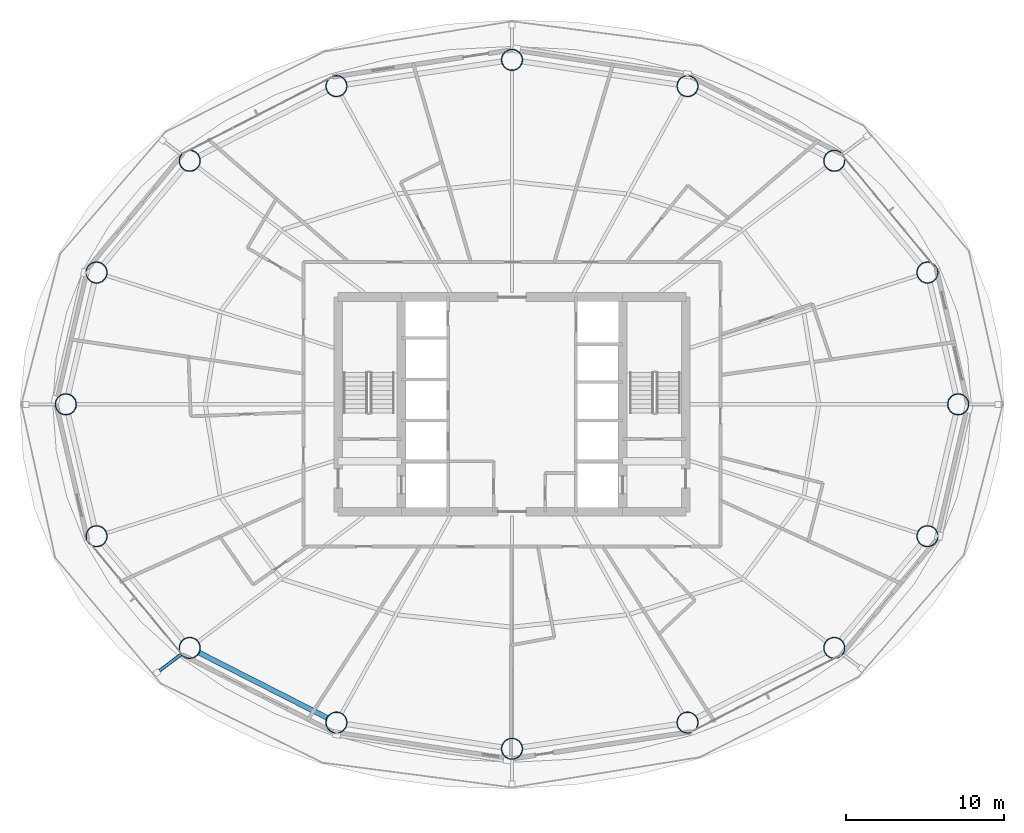
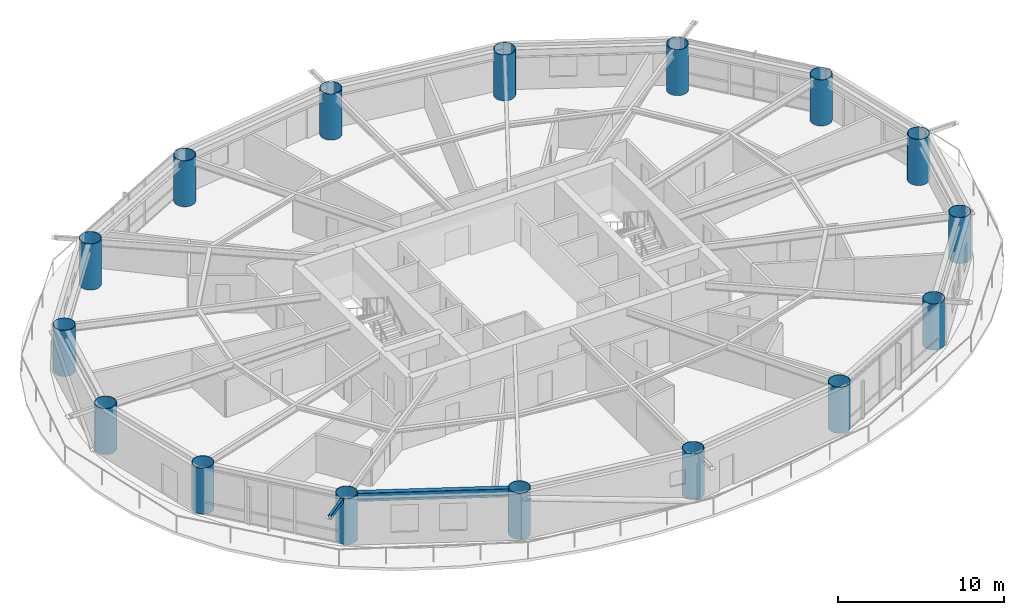
# One storey, part 1 of 24: 16 columns, 1 beam, 1 member.
"""IFC4 building model written with IfcOpenShell, lengths in metres."""

from ifc_helpers import new_model, si_unit, direction, frame, origin, origin_2d, place, context, subcontext, project, spatial, hollow_rectangle, hollow_circle, i_section, extrude, material, material_profile, profile_set, type_object, element, save


model = new_model("IFC4")

# Units and contexts
model_context = context("Model", 3, precision=1e-05, world=origin(), true_north=direction((0.0, 1.0)))
body_context = subcontext(model_context, "Body", "Model", "MODEL_VIEW")
ifc_project = project(units=[si_unit("LENGTHUNIT", "METRE"), si_unit("AREAUNIT", "SQUARE_METRE"), si_unit("VOLUMEUNIT", "CUBIC_METRE"), si_unit("PLANEANGLEUNIT", "RADIAN"), si_unit("MASSUNIT", "GRAM", prefix="KILO")], contexts=[model_context])

# Site, building, storey
site_placement = place(None, origin())
site = spatial("IfcSite", under=ifc_project, at=site_placement, CompositionType="ELEMENT")
building_placement = place(site_placement, origin())
building = spatial("IfcBuilding", under=site, at=building_placement, Name="Sarneth Arch Tower", CompositionType="ELEMENT")
storey_placement = place(building_placement, frame((0.0, 0.0, 123.60009765625)))
storey = spatial("IfcBuildingStorey", under=building, at=storey_placement, Name="L31", CompositionType="ELEMENT", Elevation=123.60009765625)

# Columns
ifc_material_1 = material(Name="Steel S355", Category="steel")
ifc_material_profile_1 = material_profile(ifc_material_1, hollow_circle(Radius=0.675048828125, WallThickness=0.035888671875, at=origin_2d()), Name="CHS1350x36")
ifc_profile_set_1 = profile_set([ifc_material_profile_1], Name="Steel S355")
column_type = type_object("IfcColumnType", Name="COL-MEGA-1350", PredefinedType="COLUMN", material=ifc_profile_set_1)
for number, where, z_axis, x_axis, name in (
    (1, (76.236572265625, 42.0, 0.0), (0.0, 0.0, 1.0), (1.0, 0.0, 0.0), "L31 Perimeter mega-column M01"),
    (2, (74.291259765625, 50.342529296875, 0.0), (0.0, 0.0, 1.0), (1.0, 0.0, 0.0), "L31 Perimeter mega-column M02"),
    (3, (68.397705078125, 57.4150390625, 0.0), (0.0, 0.0, 1.0), (1.0, 0.0, 0.0), "L31 Perimeter mega-column M03"),
    (4, (59.1103515625, 62.140625, 0.0), (0.0, 0.0, 1.0), (1.0, 0.0, 0.0), "L31 Perimeter mega-column M04"),
    (5, (48.0, 63.800048828125, 0.0), (0.0, 0.0, 1.0), (1.0, 0.0, 0.0), "L31 Perimeter mega-column M05"),
    (6, (36.8896484375, 62.140625, 0.0), (0.0, 0.0, 1.0), (1.0, 0.0, 0.0), "L31 Perimeter mega-column M06"),
    (7, (27.602294921875, 57.4150390625, 0.0), (0.0, 0.0, 1.0), (1.0, 0.0, 0.0), "L31 Perimeter mega-column M07"),
    (8, (21.708740234375, 50.342529296875, 0.0), (0.0, 0.0, 1.0), (1.0, 0.0, 0.0), "L31 Perimeter mega-column M08"),
    (9, (19.763427734375, 42.0, 0.0), (0.0, 0.0, 1.0), (1.0, 0.0, 0.0), "L31 Perimeter mega-column M09"),
    (10, (21.708740234375, 33.657470703125, 0.0), (0.0, 0.0, 1.0), (1.0, 0.0, 0.0), "L31 Perimeter mega-column M10"),
    (11, (27.602294921875, 26.5849609375, 0.0), (0.0, 0.0, 1.0), (1.0, 0.0, 0.0), "L31 Perimeter mega-column M11"),
    (12, (36.8896484375, 21.859375, 0.0), (0.0, 0.0, 1.0), (1.0, 0.0, 0.0), "L31 Perimeter mega-column M12"),
    (13, (48.0, 20.199951171875, 0.0), (0.0, 0.0, 1.0), (1.0, 0.0, 0.0), "L31 Perimeter mega-column M13"),
    (14, (59.1103515625, 21.859375, 0.0), (0.0, 0.0, 1.0), (1.0, 0.0, 0.0), "L31 Perimeter mega-column M14"),
    (15, (68.397705078125, 26.5849609375, 0.0), (0.0, 0.0, 1.0), (1.0, 0.0, 0.0), "L31 Perimeter mega-column M15"),
    (16, (74.291259765625, 33.657470703125, 0.0), (0.0, 0.0, 1.0), (1.0, 0.0, 0.0), "L31 Perimeter mega-column M16"),
):
    element("IfcColumn", number, at=place(storey_placement, frame(where, z_axis=z_axis, x_axis=x_axis)), inside=storey, type_object=column_type, Name=name, PredefinedType="COLUMN", context=body_context, shape_type="SweptSolid", body=[
        extrude(hollow_circle(Radius=0.675048828125, WallThickness=0.035888671875, at=origin_2d()), origin(), (0.0, 0.0, 1.0), 3.3798828125),
    ])

# Beam
ifc_material_2 = material(Name="Steel S355", Category="steel")
ifc_material_profile_2 = material_profile(ifc_material_2, i_section(OverallWidth=0.323974609375, OverallDepth=0.611083984375, WebThickness=0.0126953125, FlangeThickness=0.01904296875, FilletRadius=0.01904296875, at=origin_2d()), Name="W610x155")
ifc_profile_set_2 = profile_set([ifc_material_profile_2], Name="Steel S355")
beam_type = type_object("IfcBeamType", Name="BM-SPAN-610B", PredefinedType="SPANDREL", material=ifc_profile_set_2)
beam_placement = place(storey_placement, frame((28.203857421875, 26.279052734375, 3.074462890625), z_axis=(0.891255891792, -0.453500755619, 0.0), x_axis=(0.453500755619, 0.891255891792, 0.0)))
element("IfcBeam", 17, at=beam_placement, inside=storey, type_object=beam_type, Name="L31 Perimeter spandrel beam 11", PredefinedType="SPANDREL", context=body_context, shape_type="SweptSolid", body=[
    extrude(i_section(OverallWidth=0.323974609375, OverallDepth=0.611083984375, WebThickness=0.0126953125, FlangeThickness=0.01904296875, FilletRadius=0.01904296875, at=origin_2d()), origin(), (0.0, 0.0, 1.0), 9.070556640625),
])

# Member
ifc_material_3 = material(Name="Steel S355", Category="steel")
ifc_material_profile_3 = material_profile(ifc_material_3, hollow_rectangle(XDim=0.199951171875, YDim=0.300048828125, WallThickness=0.012451171875, InnerFilletRadius=0.018798828125, OuterFilletRadius=0.03125, at=origin_2d()), Name="RHS300x200x12.5")
ifc_profile_set_3 = profile_set([ifc_material_profile_3], Name="Steel S355")
member_type = type_object("IfcMemberType", Name="MEM-CANT-STRUT", PredefinedType="STRUT", material=ifc_profile_set_3)
member_placement = place(storey_placement, frame((27.063720703125, 26.177978515625, 3.219970703125), z_axis=(-0.797830670943, -0.602881597416, 0.0), x_axis=(0.602881597416, -0.797830670943, 0.0)))
element("IfcMember", 18, at=member_placement, inside=storey, type_object=member_type, Name="L31 Balcony cantilever bracket 11", PredefinedType="STRUT", context=body_context, shape_type="SweptSolid", body=[
    extrude(hollow_rectangle(XDim=0.199951171875, YDim=0.300048828125, WallThickness=0.012451171875, InnerFilletRadius=0.018798828125, OuterFilletRadius=0.03125, at=origin_2d()), origin(), (0.0, 0.0, 1.0), 1.92236328125),
])

save(model, "model.ifc")
